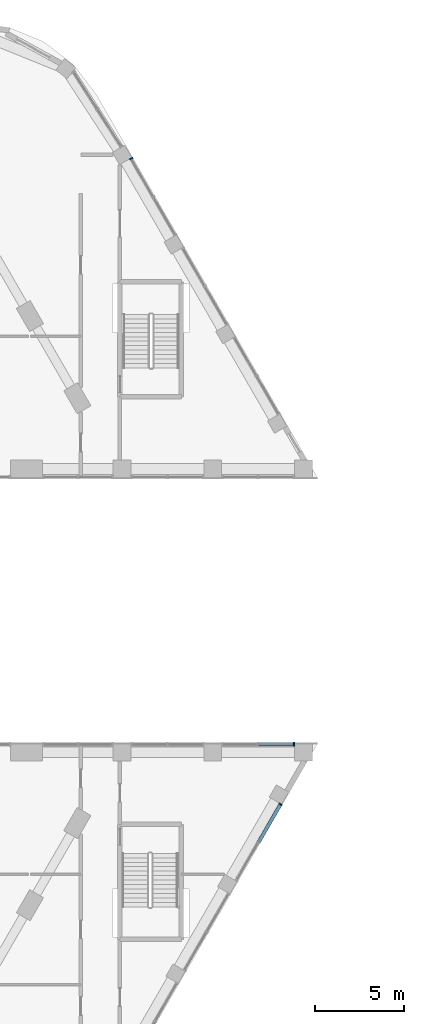
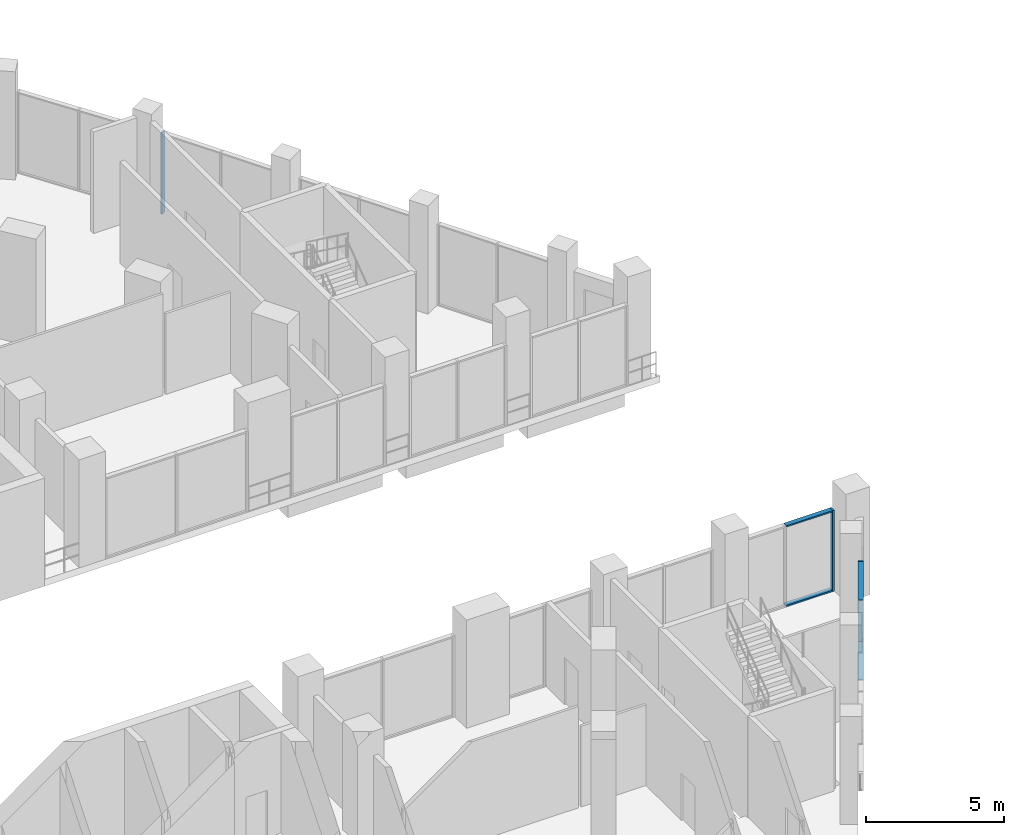
# One storey, part 7 of 45: 7 members, 3 elements without a shape of their own.
"""IFC4 building model written with IfcOpenShell, lengths in metres."""

from ifc_helpers import new_model, si_unit, direction, frame, origin, origin_2d, place, context, subcontext, project, spatial, rectangle, extrude, material, layer, layer_set, material_profile, profile_set, type_object, element, aggregate, save


model = new_model("IFC4")

# Units and contexts
model_context = context("Model", 3, precision=1e-05, world=origin(), true_north=direction((0.0, 1.0)))
body_context = subcontext(model_context, "Body", "Model", "MODEL_VIEW")
ifc_project = project(units=[si_unit("LENGTHUNIT", "METRE"), si_unit("AREAUNIT", "SQUARE_METRE"), si_unit("VOLUMEUNIT", "CUBIC_METRE"), si_unit("PLANEANGLEUNIT", "RADIAN"), si_unit("MASSUNIT", "GRAM", prefix="KILO")], contexts=[model_context])

# Site, building, storey
site_placement = place(None, origin())
site = spatial("IfcSite", under=ifc_project, at=site_placement, CompositionType="ELEMENT")
building_placement = place(site_placement, origin())
building = spatial("IfcBuilding", under=site, at=building_placement, Name="Nakaniwa Court", CompositionType="ELEMENT")
storey_placement = place(building_placement, frame((0.0, 0.0, 6.60009765625)))
storey = spatial("IfcBuildingStorey", under=building, at=storey_placement, Name="L01", CompositionType="ELEMENT", Elevation=6.60009765625)

# Curtain wall, member
ifc_material_1 = material(Name="Black anodised aluminium frame with dark low-E laminated double glazing", Category="aluminium")
ifc_layer_1 = layer(ifc_material_1, 0.199951171875)
ifc_layer_set_1 = layer_set([ifc_layer_1], Name="Black anodised aluminium frame with dark low-E laminated double glazing")
curtain_wall_type_1 = type_object("IfcCurtainWallType", Name="Podium unitised curtain wall", PredefinedType="NOTDEFINED", material=ifc_layer_set_1)
curtain_wall_1_placement = place(storey_placement, origin())
curtain_wall_1 = element("IfcCurtainWall", 1, at=curtain_wall_1_placement, inside=storey, type_object=curtain_wall_type_1, Name="L01 curtain wall CW1 02", PredefinedType="NOTDEFINED")
ifc_material_2 = material(Name="Black anodised aluminium extrusion", Category="aluminium")
ifc_material_profile_1 = material_profile(ifc_material_2, rectangle(XDim=0.199951171875, YDim=0.06494140625, at=origin_2d()), Name="Podium unitised curtain wall mullion 65x200")
ifc_profile_set_1 = profile_set([ifc_material_profile_1], Name="Black anodised aluminium extrusion")
member_type_1 = type_object("IfcMemberType", Name="Podium unitised curtain wall mullion 65x200", PredefinedType="MULLION", material=ifc_profile_set_1)
member_1_placement = place(storey_placement, frame((111.71337890625, 69.129150390625, 0.0), z_axis=(0.0, 0.0, 1.0), x_axis=(-0.866023723106, 0.500002911009, 0.0)))
member_1 = element("IfcMember", 2, at=member_1_placement, type_object=member_type_1, Name="CW1 mullion 3", PredefinedType="MULLION", context=body_context, shape_type="SweptSolid", body=[
    extrude(rectangle(XDim=0.199951171875, YDim=0.06494140625, at=origin_2d()), origin(), (0.0, 0.0, 1.0), 3.599853515625),
])

curtain_wall_2_placement = place(storey_placement, origin())
curtain_wall_2 = element("IfcCurtainWall", 3, at=curtain_wall_2_placement, inside=storey, type_object=curtain_wall_type_1, Name="L01 curtain wall CW1 42", PredefinedType="NOTDEFINED")
member_2_placement = place(storey_placement, frame((103.337158203125, 105.379150390625, 0.0), z_axis=(0.0, 0.0, 1.0), x_axis=(-0.866032365426, -0.499987941889, 0.0)))
member_2 = element("IfcMember", 4, at=member_2_placement, type_object=member_type_1, Name="CW1 mullion 3", PredefinedType="MULLION", context=body_context, shape_type="SweptSolid", body=[
    extrude(rectangle(XDim=0.199951171875, YDim=0.06494140625, at=origin_2d()), origin(), (0.0, 0.0, 1.0), 3.599853515625),
])
aggregate(curtain_wall_2, [member_2])

# Member
ifc_material_profile_2 = material_profile(ifc_material_2, rectangle(XDim=0.199951171875, YDim=0.050048828125, at=origin_2d()), Name="Podium unitised curtain wall transom 50x200")
ifc_profile_set_2 = profile_set([ifc_material_profile_2], Name="Black anodised aluminium extrusion")
member_type_2 = type_object("IfcMemberType", Name="Podium unitised curtain wall transom 50x200", PredefinedType="USERDEFINED", material=ifc_profile_set_2)
member_3_placement = place(storey_placement, frame((110.4931640625, 67.015869140625, 0.02490234375), z_axis=(0.499988695522, 0.866031930329, 0.0), x_axis=(-0.866031930329, 0.499988695522, 0.0)))
member_3 = element("IfcMember", 5, at=member_3_placement, type_object=member_type_2, Name="CW1 transom 2.1", ObjectType="TRANSOM", PredefinedType="USERDEFINED", context=body_context, shape_type="SweptSolid", body=[
    extrude(rectangle(XDim=0.199951171875, YDim=0.050048828125, at=origin_2d()), origin(), (0.0, 0.0, 1.0), 2.40771484375),
])

member_4_placement = place(storey_placement, frame((110.4931640625, 67.015869140625, 3.574951171875), z_axis=(0.499988695522, 0.866031930329, 0.0), x_axis=(-0.866031930329, 0.499988695522, 0.0)))
member_4 = element("IfcMember", 6, at=member_4_placement, type_object=member_type_2, Name="CW1 transom 2.2", ObjectType="TRANSOM", PredefinedType="USERDEFINED", context=body_context, shape_type="SweptSolid", body=[
    extrude(rectangle(XDim=0.199951171875, YDim=0.050048828125, at=origin_2d()), origin(), (0.0, 0.0, 1.0), 2.40771484375),
])

aggregate(curtain_wall_1, [member_1, member_3, member_4])

# Curtain wall, members
ifc_layer_2 = layer(ifc_material_1, 0.199951171875)
ifc_layer_set_2 = layer_set([ifc_layer_2], Name="Black anodised aluminium frame with dark low-E laminated double glazing")
curtain_wall_type_2 = type_object("IfcCurtainWallType", Name="Portal side curtain wall", PredefinedType="NOTDEFINED", material=ifc_layer_set_2)
curtain_wall_3_placement = place(storey_placement, origin())
curtain_wall_3 = element("IfcCurtainWall", 7, at=curtain_wall_3_placement, inside=storey, type_object=curtain_wall_type_2, Name="L01 curtain wall CW5 04", PredefinedType="NOTDEFINED")
ifc_material_profile_3 = material_profile(ifc_material_2, rectangle(XDim=0.199951171875, YDim=0.074951171875, at=origin_2d()), Name="Portal side curtain wall mullion 75x200")
ifc_profile_set_3 = profile_set([ifc_material_profile_3], Name="Black anodised aluminium extrusion")
member_type_3 = type_object("IfcMemberType", Name="Portal side curtain wall mullion 75x200", PredefinedType="MULLION", material=ifc_profile_set_3)
member_5_placement = place(storey_placement, frame((112.46240234375, 72.5, 0.0), z_axis=(0.0, 0.0, 1.0), x_axis=(0.0, -1.0, 0.0)))
member_5 = element("IfcMember", 8, at=member_5_placement, type_object=member_type_3, Name="CW5 mullion 1", PredefinedType="MULLION", context=body_context, shape_type="SweptSolid", body=[
    extrude(rectangle(XDim=0.199951171875, YDim=0.074951171875, at=origin_2d()), origin(), (0.0, 0.0, 1.0), 3.599853515625),
])
ifc_material_profile_4 = material_profile(ifc_material_2, rectangle(XDim=0.199951171875, YDim=0.06494140625, at=origin_2d()), Name="Portal side curtain wall transom 65x200")
ifc_profile_set_4 = profile_set([ifc_material_profile_4], Name="Black anodised aluminium extrusion")
member_type_4 = type_object("IfcMemberType", Name="Portal side curtain wall transom 65x200", PredefinedType="USERDEFINED", material=ifc_profile_set_4)
member_6_placement = place(storey_placement, frame((112.425048828125, 72.5, 0.032470703125), z_axis=(-1.0, 0.0, 0.0), x_axis=(0.0, -1.0, 0.0)))
member_6 = element("IfcMember", 9, at=member_6_placement, type_object=member_type_4, Name="CW5 transom 1.1", ObjectType="TRANSOM", PredefinedType="USERDEFINED", context=body_context, shape_type="SweptSolid", body=[
    extrude(rectangle(XDim=0.199951171875, YDim=0.06494140625, at=origin_2d()), origin(), (0.0, 0.0, 1.0), 1.93505859375),
])
member_7_placement = place(storey_placement, frame((112.425048828125, 72.5, 3.5673828125), z_axis=(-1.0, 0.0, 0.0), x_axis=(0.0, -1.0, 0.0)))
member_7 = element("IfcMember", 10, at=member_7_placement, type_object=member_type_4, Name="CW5 transom 1.2", ObjectType="TRANSOM", PredefinedType="USERDEFINED", context=body_context, shape_type="SweptSolid", body=[
    extrude(rectangle(XDim=0.199951171875, YDim=0.06494140625, at=origin_2d()), origin(), (0.0, 0.0, 1.0), 1.93505859375),
])
aggregate(curtain_wall_3, [member_5, member_6, member_7])

save(model, "model.ifc")
